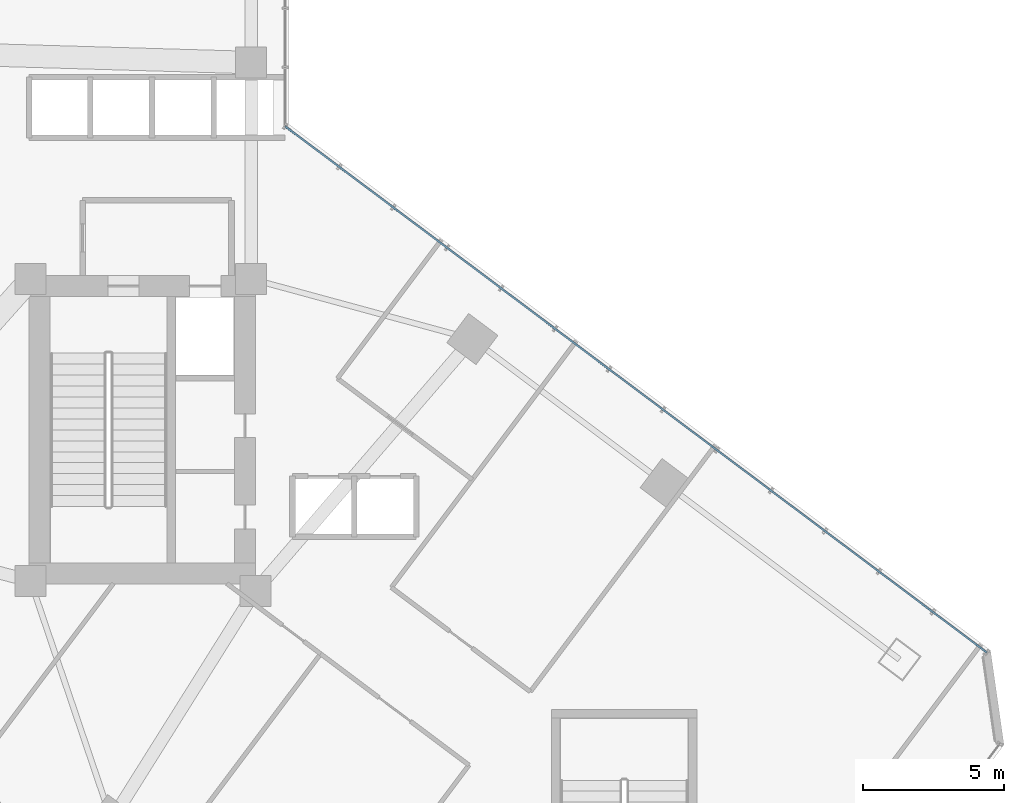
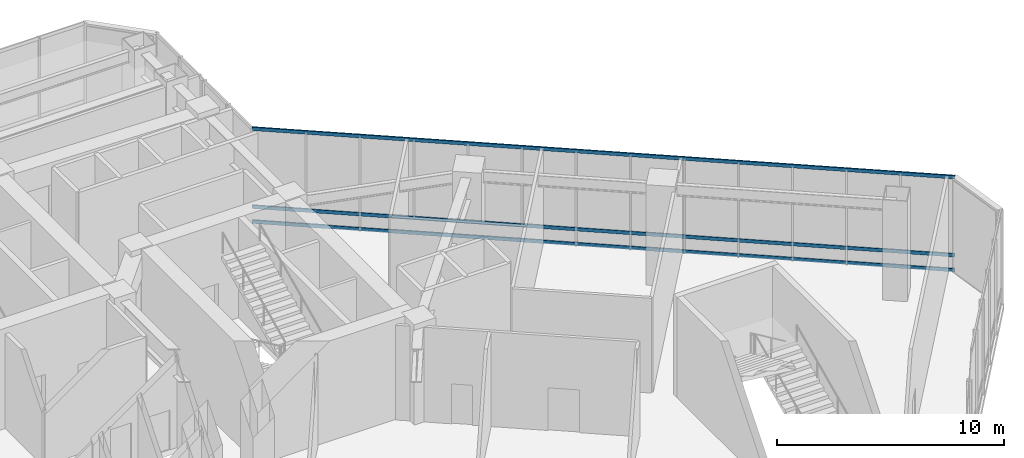
# One storey, part 8 of 35: 3 members, 1 element without a shape of its own.
"""IFC4 building model written with IfcOpenShell, lengths in metres."""

from ifc_helpers import new_model, si_unit, direction, frame, origin, origin_2d, place, context, subcontext, project, spatial, hollow_rectangle, extrude, material, layer, layer_set, material_profile, profile_set, type_object, element, aggregate, save


model = new_model("IFC4")

# Units and contexts
model_context = context("Model", 3, precision=1e-05, world=origin(), true_north=direction((0.0, 1.0)))
body_context = subcontext(model_context, "Body", "Model", "MODEL_VIEW")
ifc_project = project(units=[si_unit("LENGTHUNIT", "METRE"), si_unit("AREAUNIT", "SQUARE_METRE"), si_unit("VOLUMEUNIT", "CUBIC_METRE"), si_unit("PLANEANGLEUNIT", "RADIAN"), si_unit("MASSUNIT", "GRAM", prefix="KILO")], contexts=[model_context])

# Site, building, storey
site_placement = place(None, origin())
site = spatial("IfcSite", under=ifc_project, at=site_placement, CompositionType="ELEMENT")
building_placement = place(site_placement, origin())
building = spatial("IfcBuilding", under=site, at=building_placement, Name="Hatsunagi Terrace Concourse", CompositionType="ELEMENT")
storey_placement = place(building_placement, frame((0.0, 0.0, 5.39990234375)))
storey = spatial("IfcBuildingStorey", under=building, at=storey_placement, Name="L02", CompositionType="ELEMENT", Elevation=5.39990234375)

# Curtain wall, members
ifc_material_1 = material(Name="Anodised Aluminium Alloy 6063-T5", Category="aluminium")
ifc_layer = layer(ifc_material_1, 0.199951171875)
ifc_layer_set = layer_set([ifc_layer], Name="PodiumStorefront_CW01")
curtain_wall_type = type_object("IfcCurtainWallType", Name="PodiumStorefront_CW01", PredefinedType="NOTDEFINED", material=ifc_layer_set)
curtain_wall_placement = place(storey_placement, origin())
curtain_wall = element("IfcCurtainWall", 1, at=curtain_wall_placement, inside=storey, type_object=curtain_wall_type, Name="Unitised Curtain Wall CW-01 CW-L02-01", PredefinedType="NOTDEFINED")
ifc_material_2 = material(Name="Anodised Aluminium Alloy 6063-T5", Category="aluminium")
ifc_material_profile = material_profile(ifc_material_2, hollow_rectangle(XDim=0.070068359375, YDim=0.179931640625, WallThickness=0.00390625, at=origin_2d()), Name="ALU-TRN-180x70x4")
ifc_profile_set = profile_set([ifc_material_profile], Name="Anodised Aluminium Alloy 6063-T5")
member_type = type_object("IfcMemberType", Name="CurtainWallTransom_Heavy_180x70", PredefinedType="USERDEFINED", material=ifc_profile_set)
member_1_placement = place(storey_placement, frame((44.860107421875, 40.72998046875, 0.050048828125), z_axis=(0.800006570398, -0.599991239369, 0.0), x_axis=(0.599991239369, 0.800006570398, 0.0)))
member_1 = element("IfcMember", 2, at=member_1_placement, type_object=member_type, Name="Curtain Wall Transom TRN-01", ObjectType="TRANSOM", PredefinedType="USERDEFINED", context=body_context, shape_type="SweptSolid", body=[
    extrude(hollow_rectangle(XDim=0.070068359375, YDim=0.179931640625, WallThickness=0.00390625, at=origin_2d()), origin(), (0.0, 0.0, 1.0), 31.212158203125),
])
member_2_placement = place(storey_placement, frame((44.860107421875, 40.72998046875, 0.85009765625), z_axis=(0.800006570398, -0.599991239369, 0.0), x_axis=(0.599991239369, 0.800006570398, 0.0)))
member_2 = element("IfcMember", 3, at=member_2_placement, type_object=member_type, Name="Curtain Wall Transom TRN-01", ObjectType="TRANSOM", PredefinedType="USERDEFINED", context=body_context, shape_type="SweptSolid", body=[
    extrude(hollow_rectangle(XDim=0.070068359375, YDim=0.179931640625, WallThickness=0.00390625, at=origin_2d()), origin(), (0.0, 0.0, 1.0), 31.212158203125),
])
member_3_placement = place(storey_placement, frame((44.860107421875, 40.72998046875, 5.050048828125), z_axis=(0.800006570398, -0.599991239369, 0.0), x_axis=(0.599991239369, 0.800006570398, 0.0)))
member_3 = element("IfcMember", 4, at=member_3_placement, type_object=member_type, Name="Curtain Wall Transom TRN-01", ObjectType="TRANSOM", PredefinedType="USERDEFINED", context=body_context, shape_type="SweptSolid", body=[
    extrude(hollow_rectangle(XDim=0.070068359375, YDim=0.179931640625, WallThickness=0.00390625, at=origin_2d()), origin(), (0.0, 0.0, 1.0), 31.212158203125),
])
aggregate(curtain_wall, [member_1, member_2, member_3])

save(model, "model.ifc")
